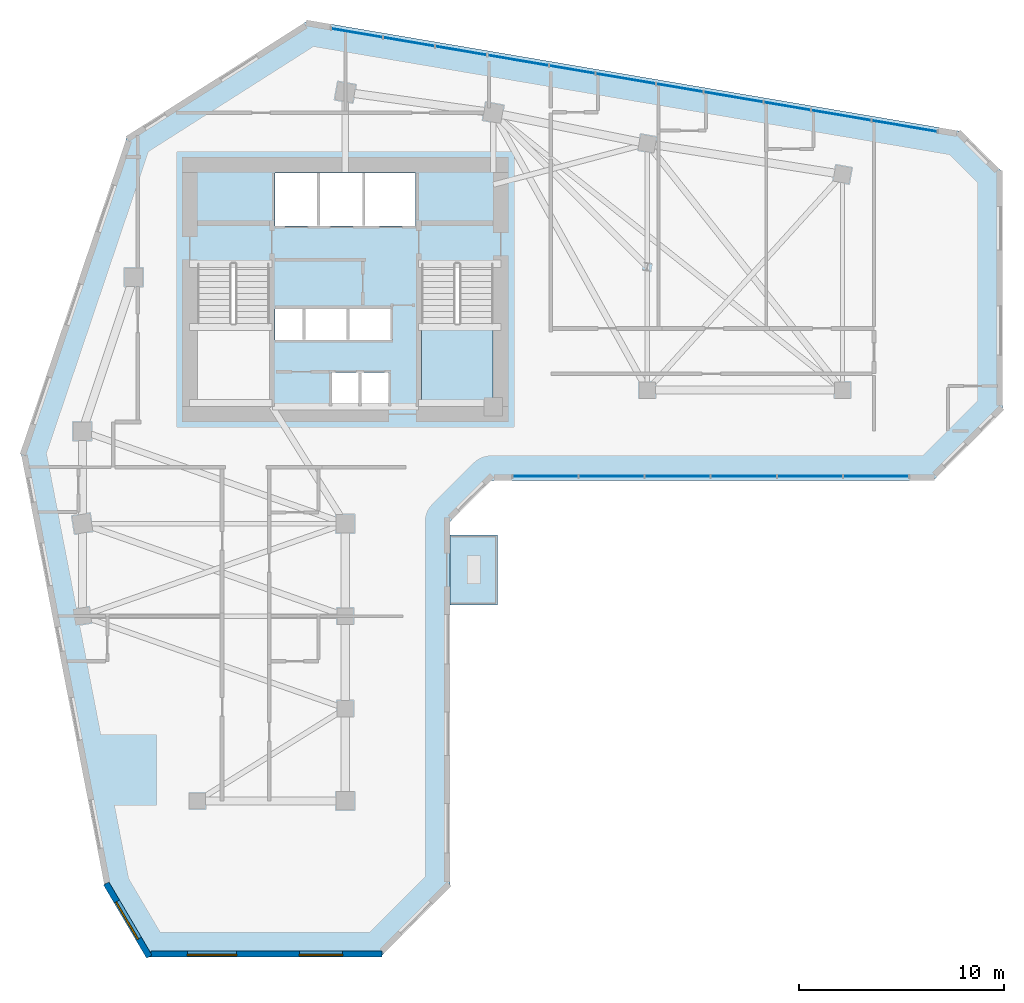
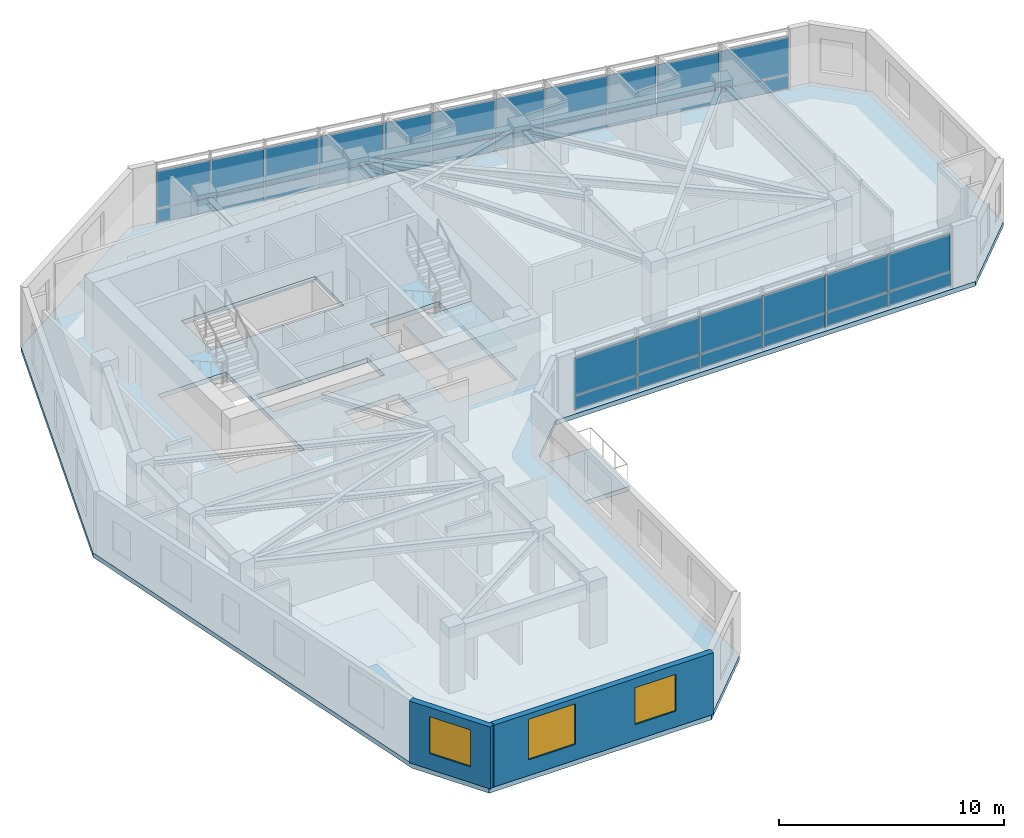
# One storey, part 3 of 10: 34 plates, 3 slabs, 3 windows, 2 walls, 3 openings, 3 elements without a shape of their own.
"""IFC4 building model written with IfcOpenShell, lengths in metres."""

from ifc_helpers import new_model, si_unit, direction, frame, frame_2d, origin, place, context, subcontext, project, spatial, polyline, rectangle, outline, extrude, source, transform, mapped, material, layer, layer_set, type_object, element, fill, aggregate, save


model = new_model("IFC4")

# Units and contexts
model_context = context("Model", 3, precision=1e-05, world=origin(), true_north=direction((0.0, 1.0)))
body_context = subcontext(model_context, "Body", "Model", "MODEL_VIEW")
ifc_project = project(units=[si_unit("LENGTHUNIT", "METRE"), si_unit("AREAUNIT", "SQUARE_METRE"), si_unit("VOLUMEUNIT", "CUBIC_METRE"), si_unit("PLANEANGLEUNIT", "RADIAN"), si_unit("MASSUNIT", "GRAM", prefix="KILO")], contexts=[model_context])

# Site, building, storey
site_placement = place(None, origin())
site = spatial("IfcSite", under=ifc_project, at=site_placement, CompositionType="ELEMENT")
building_placement = place(site_placement, origin())
building = spatial("IfcBuilding", under=site, at=building_placement, Name="Calvemar Wedge Station Tower", CompositionType="ELEMENT")
storey_placement = place(building_placement, frame((0.0, 0.0, 110.60009765625)))
storey = spatial("IfcBuildingStorey", under=building, at=storey_placement, Name="L26", CompositionType="ELEMENT", Elevation=110.60009765625)

# Curtain wall, plates
ifc_material_1 = material(Name="Anodised aluminium 6063-T6", Category="aluminium")
curtain_wall_type = type_object("IfcCurtainWallType", Name="CW2", PredefinedType="NOTDEFINED", material=ifc_material_1)
curtain_wall_1_placement = place(storey_placement, origin())
curtain_wall_1 = element("IfcCurtainWall", 1, at=curtain_wall_1_placement, inside=storey, type_object=curtain_wall_type, Name="Storey L26 CW2 Recessed Unitised Curtain Wall 6", PredefinedType="NOTDEFINED")
ifc_material_2 = material(Name="Low-E laminated insulated glass", Category="glass")
ifc_layer_1 = layer(ifc_material_2, 0.028076171875)
ifc_layer_set_1 = layer_set([ifc_layer_1], Name="Low-E laminated insulated glass")
plate_type_1 = type_object("IfcPlateType", Name="CW2-GLZ", PredefinedType="CURTAIN_PANEL", material=ifc_layer_set_1)
plate_1_placement = place(storey_placement, frame((31.951904296875, 30.802001953125, 0.869873046875), z_axis=(0.0, 0.0, 1.0), x_axis=(1.0, 0.0, 0.0)))
plate_1 = element("IfcPlate", 2, at=plate_1_placement, type_object=plate_type_1, Name="CW2 vision glass panel 1", PredefinedType="CURTAIN_PANEL", context=body_context, shape_type="SweptSolid", body=[
    extrude(rectangle(XDim=3.181396484375, YDim=0.028076171875, at=frame_2d((1.5908203125, 0.0))), origin(), (0.0, 0.0, 1.0), 2.010009765625),
])
plate_2_placement = place(storey_placement, frame((35.169189453125, 30.802001953125, 0.869873046875), z_axis=(0.0, 0.0, 1.0), x_axis=(1.0, 0.0, 0.0)))
plate_2 = element("IfcPlate", 3, at=plate_2_placement, type_object=plate_type_1, Name="CW2 vision glass panel 2", PredefinedType="CURTAIN_PANEL", context=body_context, shape_type="SweptSolid", body=[
    extrude(rectangle(XDim=3.181396484375, YDim=0.028076171875, at=frame_2d((1.5908203125, 0.0))), origin(), (0.0, 0.0, 1.0), 2.010009765625),
])
plate_3_placement = place(storey_placement, frame((38.38671875, 30.802001953125, 0.869873046875), z_axis=(0.0, 0.0, 1.0), x_axis=(1.0, 0.0, 0.0)))
plate_3 = element("IfcPlate", 4, at=plate_3_placement, type_object=plate_type_1, Name="CW2 vision glass panel 3", PredefinedType="CURTAIN_PANEL", context=body_context, shape_type="SweptSolid", body=[
    extrude(rectangle(XDim=3.18115234375, YDim=0.028076171875, at=frame_2d((1.590576171875, 0.0))), origin(), (0.0, 0.0, 1.0), 2.010009765625),
])
plate_4_placement = place(storey_placement, frame((41.60400390625, 30.802001953125, 0.869873046875), z_axis=(0.0, 0.0, 1.0), x_axis=(1.0, 0.0, 0.0)))
plate_4 = element("IfcPlate", 5, at=plate_4_placement, type_object=plate_type_1, Name="CW2 vision glass panel 4", PredefinedType="CURTAIN_PANEL", context=body_context, shape_type="SweptSolid", body=[
    extrude(rectangle(XDim=3.18115234375, YDim=0.028076171875, at=frame_2d((1.590576171875, 0.0))), origin(), (0.0, 0.0, 1.0), 2.010009765625),
])
plate_5_placement = place(storey_placement, frame((44.8212890625, 30.802001953125, 0.869873046875), z_axis=(0.0, 0.0, 1.0), x_axis=(1.0, 0.0, 0.0)))
plate_5 = element("IfcPlate", 6, at=plate_5_placement, type_object=plate_type_1, Name="CW2 vision glass panel 5", PredefinedType="CURTAIN_PANEL", context=body_context, shape_type="SweptSolid", body=[
    extrude(rectangle(XDim=3.181396484375, YDim=0.028076171875, at=frame_2d((1.5908203125, 0.0))), origin(), (0.0, 0.0, 1.0), 2.010009765625),
])
plate_6_placement = place(storey_placement, frame((48.03857421875, 30.802001953125, 0.869873046875), z_axis=(0.0, 0.0, 1.0), x_axis=(1.0, 0.0, 0.0)))
plate_6 = element("IfcPlate", 7, at=plate_6_placement, type_object=plate_type_1, Name="CW2 vision glass panel 6", PredefinedType="CURTAIN_PANEL", context=body_context, shape_type="SweptSolid", body=[
    extrude(rectangle(XDim=3.181396484375, YDim=0.028076171875, at=frame_2d((1.5908203125, 0.0))), origin(), (0.0, 0.0, 1.0), 2.010009765625),
])

curtain_wall_2_placement = place(storey_placement, origin())
curtain_wall_2 = element("IfcCurtainWall", 8, at=curtain_wall_2_placement, inside=storey, type_object=curtain_wall_type, Name="Storey L26 CW2 Recessed Unitised Curtain Wall 10", PredefinedType="NOTDEFINED")
plate_7_placement = place(storey_placement, frame((52.615478515625, 47.580322265625, 0.869873046875), z_axis=(0.0, 0.0, 1.0), x_axis=(-0.985833907649, 0.167724495916, 0.0)))
plate_7 = element("IfcPlate", 9, at=plate_7_placement, type_object=plate_type_1, Name="CW2 vision glass panel 1", PredefinedType="CURTAIN_PANEL", context=body_context, shape_type="SweptSolid", body=[
    extrude(rectangle(XDim=3.2373046875, YDim=0.028076171875, at=frame_2d((1.61865234375, 0.0))), origin(), (0.0, 0.0, 1.0), 2.010009765625),
])
plate_8_placement = place(storey_placement, frame((49.388427734375, 48.129150390625, 0.869873046875), z_axis=(0.0, 0.0, 1.0), x_axis=(-0.985834595923, 0.167720450396, 0.0)))
plate_8 = element("IfcPlate", 10, at=plate_8_placement, type_object=plate_type_1, Name="CW2 vision glass panel 2", PredefinedType="CURTAIN_PANEL", context=body_context, shape_type="SweptSolid", body=[
    extrude(rectangle(XDim=2.943359375, YDim=0.028076171875, at=frame_2d((1.4716796875, 0.0))), origin(), (0.0, 0.0, 1.0), 2.010009765625),
])
plate_9_placement = place(storey_placement, frame((46.451416015625, 48.628662109375, 0.869873046875), z_axis=(0.0, 0.0, 1.0), x_axis=(-0.985844644731, 0.167661374367, 0.0)))
plate_9 = element("IfcPlate", 11, at=plate_9_placement, type_object=plate_type_1, Name="CW2 vision glass panel 3", PredefinedType="CURTAIN_PANEL", context=body_context, shape_type="SweptSolid", body=[
    extrude(rectangle(XDim=2.30517578125, YDim=0.028076171875, at=frame_2d((1.152587890625, 0.0))), origin(), (0.0, 0.0, 1.0), 2.010009765625),
])
plate_10_placement = place(storey_placement, frame((44.1435546875, 49.021240234375, 0.869873046875), z_axis=(0.0, 0.0, 1.0), x_axis=(-0.98584830779, 0.167639834249, 0.0)))
plate_10 = element("IfcPlate", 12, at=plate_10_placement, type_object=plate_type_1, Name="CW2 vision glass panel 4", PredefinedType="CURTAIN_PANEL", context=body_context, shape_type="SweptSolid", body=[
    extrude(rectangle(XDim=2.943359375, YDim=0.028076171875, at=frame_2d((1.4716796875, 0.0))), origin(), (0.0, 0.0, 1.0), 2.010009765625),
])
plate_11_placement = place(storey_placement, frame((41.20654296875, 49.520751953125, 0.869873046875), z_axis=(0.0, 0.0, 1.0), x_axis=(-0.985844644731, 0.167661374367, 0.0)))
plate_11 = element("IfcPlate", 13, at=plate_11_placement, type_object=plate_type_1, Name="CW2 vision glass panel 5", PredefinedType="CURTAIN_PANEL", context=body_context, shape_type="SweptSolid", body=[
    extrude(rectangle(XDim=2.30517578125, YDim=0.028076171875, at=frame_2d((1.152587890625, 0.0))), origin(), (0.0, 0.0, 1.0), 2.010009765625),
])
plate_12_placement = place(storey_placement, frame((38.8984375, 49.9130859375, 0.869873046875), z_axis=(0.0, 0.0, 1.0), x_axis=(-0.98584597638, 0.167653544115, 0.0)))
plate_12 = element("IfcPlate", 14, at=plate_12_placement, type_object=plate_type_1, Name="CW2 vision glass panel 6", PredefinedType="CURTAIN_PANEL", context=body_context, shape_type="SweptSolid", body=[
    extrude(rectangle(XDim=2.943115234375, YDim=0.028076171875, at=frame_2d((1.4716796875, 0.0))), origin(), (0.0, 0.0, 1.0), 2.010009765625),
])
plate_13_placement = place(storey_placement, frame((35.96142578125, 50.41259765625, 0.869873046875), z_axis=(0.0, 0.0, 1.0), x_axis=(-0.985832534938, 0.167732564097, 0.0)))
plate_13 = element("IfcPlate", 15, at=plate_13_placement, type_object=plate_type_1, Name="CW2 vision glass panel 7", PredefinedType="CURTAIN_PANEL", context=body_context, shape_type="SweptSolid", body=[
    extrude(rectangle(XDim=2.267822265625, YDim=0.028076171875, at=frame_2d((1.1337890625, 0.0))), origin(), (0.0, 0.0, 1.0), 2.010009765625),
])
plate_14_placement = place(storey_placement, frame((33.6904296875, 50.798828125, 0.869873046875), z_axis=(0.0, 0.0, 1.0), x_axis=(-0.985846589489, 0.167649938837, 0.0)))
plate_14 = element("IfcPlate", 16, at=plate_14_placement, type_object=plate_type_1, Name="CW2 vision glass panel 8", PredefinedType="CURTAIN_PANEL", context=body_context, shape_type="SweptSolid", body=[
    extrude(rectangle(XDim=3.007080078125, YDim=0.028076171875, at=frame_2d((1.50341796875, 0.0))), origin(), (0.0, 0.0, 1.0), 2.010009765625),
])
plate_15_placement = place(storey_placement, frame((30.6904296875, 51.30908203125, 0.869873046875), z_axis=(0.0, 0.0, 1.0), x_axis=(-0.985852344868, 0.167616091467, 0.0)))
plate_15 = element("IfcPlate", 17, at=plate_15_placement, type_object=plate_type_1, Name="CW2 vision glass panel 9", PredefinedType="CURTAIN_PANEL", context=body_context, shape_type="SweptSolid", body=[
    extrude(rectangle(XDim=2.534423828125, YDim=0.028076171875, at=frame_2d((1.26708984375, 0.0))), origin(), (0.0, 0.0, 1.0), 2.010009765625),
])
plate_16_placement = place(storey_placement, frame((28.156494140625, 51.739990234375, 0.869873046875), z_axis=(0.0, 0.0, 1.0), x_axis=(-0.985852344868, 0.167616091467, 0.0)))
plate_16 = element("IfcPlate", 18, at=plate_16_placement, type_object=plate_type_1, Name="CW2 vision glass panel 10", PredefinedType="CURTAIN_PANEL", context=body_context, shape_type="SweptSolid", body=[
    extrude(rectangle(XDim=2.534423828125, YDim=0.028076171875, at=frame_2d((1.26708984375, 0.0))), origin(), (0.0, 0.0, 1.0), 2.010009765625),
])
plate_17_placement = place(storey_placement, frame((25.622314453125, 52.1708984375, 0.869873046875), z_axis=(0.0, 0.0, 1.0), x_axis=(-0.985833712673, 0.16772564192, 0.0)))
plate_17 = element("IfcPlate", 19, at=plate_17_placement, type_object=plate_type_1, Name="CW2 vision glass panel 11", PredefinedType="CURTAIN_PANEL", context=body_context, shape_type="SweptSolid", body=[
    extrude(rectangle(XDim=2.5341796875, YDim=0.028076171875, at=frame_2d((1.26708984375, 0.0))), origin(), (0.0, 0.0, 1.0), 2.010009765625),
])

# Plate
ifc_material_3 = material(Name="Oxidized bronze aluminium spandrel panel 5005-H24", Category="aluminium")
ifc_layer_2 = layer(ifc_material_3, 0.0400390625)
ifc_layer_set_2 = layer_set([ifc_layer_2], Name="Oxidized bronze aluminium spandrel panel 5005-H24")
plate_type_2 = type_object("IfcPlateType", Name="CW2-SPD", PredefinedType="SHEET", material=ifc_layer_set_2)
plate_18_placement = place(storey_placement, frame((31.951904296875, 30.802001953125, 0.079833984375), z_axis=(0.0, 0.0, 1.0), x_axis=(1.0, 0.0, 0.0)))
plate_18 = element("IfcPlate", 20, at=plate_18_placement, type_object=plate_type_2, Name="CW2 bronze spandrel panel 1", PredefinedType="SHEET", context=body_context, shape_type="SweptSolid", body=[
    extrude(rectangle(XDim=3.181396484375, YDim=0.0400390625, at=frame_2d((1.5908203125, 0.0))), origin(), (0.0, 0.0, 1.0), 0.75),
])

plate_19_placement = place(storey_placement, frame((35.169189453125, 30.802001953125, 0.079833984375), z_axis=(0.0, 0.0, 1.0), x_axis=(1.0, 0.0, 0.0)))
plate_19 = element("IfcPlate", 21, at=plate_19_placement, type_object=plate_type_2, Name="CW2 bronze spandrel panel 2", PredefinedType="SHEET", context=body_context, shape_type="SweptSolid", body=[
    extrude(rectangle(XDim=3.181396484375, YDim=0.0400390625, at=frame_2d((1.5908203125, 0.0))), origin(), (0.0, 0.0, 1.0), 0.75),
])

plate_20_placement = place(storey_placement, frame((38.38671875, 30.802001953125, 0.079833984375), z_axis=(0.0, 0.0, 1.0), x_axis=(1.0, 0.0, 0.0)))
plate_20 = element("IfcPlate", 22, at=plate_20_placement, type_object=plate_type_2, Name="CW2 bronze spandrel panel 3", PredefinedType="SHEET", context=body_context, shape_type="SweptSolid", body=[
    extrude(rectangle(XDim=3.18115234375, YDim=0.0400390625, at=frame_2d((1.590576171875, 0.0))), origin(), (0.0, 0.0, 1.0), 0.75),
])

plate_21_placement = place(storey_placement, frame((41.60400390625, 30.802001953125, 0.079833984375), z_axis=(0.0, 0.0, 1.0), x_axis=(1.0, 0.0, 0.0)))
plate_21 = element("IfcPlate", 23, at=plate_21_placement, type_object=plate_type_2, Name="CW2 bronze spandrel panel 4", PredefinedType="SHEET", context=body_context, shape_type="SweptSolid", body=[
    extrude(rectangle(XDim=3.18115234375, YDim=0.0400390625, at=frame_2d((1.590576171875, 0.0))), origin(), (0.0, 0.0, 1.0), 0.75),
])

plate_22_placement = place(storey_placement, frame((44.8212890625, 30.802001953125, 0.079833984375), z_axis=(0.0, 0.0, 1.0), x_axis=(1.0, 0.0, 0.0)))
plate_22 = element("IfcPlate", 24, at=plate_22_placement, type_object=plate_type_2, Name="CW2 bronze spandrel panel 5", PredefinedType="SHEET", context=body_context, shape_type="SweptSolid", body=[
    extrude(rectangle(XDim=3.181396484375, YDim=0.0400390625, at=frame_2d((1.5908203125, 0.0))), origin(), (0.0, 0.0, 1.0), 0.75),
])

plate_23_placement = place(storey_placement, frame((48.03857421875, 30.802001953125, 0.079833984375), z_axis=(0.0, 0.0, 1.0), x_axis=(1.0, 0.0, 0.0)))
plate_23 = element("IfcPlate", 25, at=plate_23_placement, type_object=plate_type_2, Name="CW2 bronze spandrel panel 6", PredefinedType="SHEET", context=body_context, shape_type="SweptSolid", body=[
    extrude(rectangle(XDim=3.181396484375, YDim=0.0400390625, at=frame_2d((1.5908203125, 0.0))), origin(), (0.0, 0.0, 1.0), 0.75),
])

aggregate(curtain_wall_1, [plate_18, plate_1, plate_19, plate_2, plate_20, plate_3, plate_21, plate_4, plate_22, plate_5, plate_23, plate_6])

plate_24_placement = place(storey_placement, frame((52.615478515625, 47.580322265625, 0.079833984375), z_axis=(0.0, 0.0, 1.0), x_axis=(-0.985833907649, 0.167724495916, 0.0)))
plate_24 = element("IfcPlate", 26, at=plate_24_placement, type_object=plate_type_2, Name="CW2 bronze spandrel panel 1", PredefinedType="SHEET", context=body_context, shape_type="SweptSolid", body=[
    extrude(rectangle(XDim=3.2373046875, YDim=0.0400390625, at=frame_2d((1.61865234375, 0.0))), origin(), (0.0, 0.0, 1.0), 0.75),
])

plate_25_placement = place(storey_placement, frame((49.388427734375, 48.129150390625, 0.079833984375), z_axis=(0.0, 0.0, 1.0), x_axis=(-0.985834595923, 0.167720450396, 0.0)))
plate_25 = element("IfcPlate", 27, at=plate_25_placement, type_object=plate_type_2, Name="CW2 bronze spandrel panel 2", PredefinedType="SHEET", context=body_context, shape_type="SweptSolid", body=[
    extrude(rectangle(XDim=2.943359375, YDim=0.0400390625, at=frame_2d((1.4716796875, 0.0))), origin(), (0.0, 0.0, 1.0), 0.75),
])

plate_26_placement = place(storey_placement, frame((46.451416015625, 48.628662109375, 0.079833984375), z_axis=(0.0, 0.0, 1.0), x_axis=(-0.985844644731, 0.167661374367, 0.0)))
plate_26 = element("IfcPlate", 28, at=plate_26_placement, type_object=plate_type_2, Name="CW2 bronze spandrel panel 3", PredefinedType="SHEET", context=body_context, shape_type="SweptSolid", body=[
    extrude(rectangle(XDim=2.30517578125, YDim=0.0400390625, at=frame_2d((1.152587890625, 0.0))), origin(), (0.0, 0.0, 1.0), 0.75),
])

plate_27_placement = place(storey_placement, frame((44.1435546875, 49.021240234375, 0.079833984375), z_axis=(0.0, 0.0, 1.0), x_axis=(-0.98584830779, 0.167639834249, 0.0)))
plate_27 = element("IfcPlate", 29, at=plate_27_placement, type_object=plate_type_2, Name="CW2 bronze spandrel panel 4", PredefinedType="SHEET", context=body_context, shape_type="SweptSolid", body=[
    extrude(rectangle(XDim=2.943359375, YDim=0.0400390625, at=frame_2d((1.4716796875, 0.0))), origin(), (0.0, 0.0, 1.0), 0.75),
])

plate_28_placement = place(storey_placement, frame((41.20654296875, 49.520751953125, 0.079833984375), z_axis=(0.0, 0.0, 1.0), x_axis=(-0.985844644731, 0.167661374367, 0.0)))
plate_28 = element("IfcPlate", 30, at=plate_28_placement, type_object=plate_type_2, Name="CW2 bronze spandrel panel 5", PredefinedType="SHEET", context=body_context, shape_type="SweptSolid", body=[
    extrude(rectangle(XDim=2.30517578125, YDim=0.0400390625, at=frame_2d((1.152587890625, 0.0))), origin(), (0.0, 0.0, 1.0), 0.75),
])

plate_29_placement = place(storey_placement, frame((38.8984375, 49.9130859375, 0.079833984375), z_axis=(0.0, 0.0, 1.0), x_axis=(-0.98584597638, 0.167653544115, 0.0)))
plate_29 = element("IfcPlate", 31, at=plate_29_placement, type_object=plate_type_2, Name="CW2 bronze spandrel panel 6", PredefinedType="SHEET", context=body_context, shape_type="SweptSolid", body=[
    extrude(rectangle(XDim=2.943115234375, YDim=0.0400390625, at=frame_2d((1.4716796875, 0.0))), origin(), (0.0, 0.0, 1.0), 0.75),
])

plate_30_placement = place(storey_placement, frame((35.96142578125, 50.41259765625, 0.079833984375), z_axis=(0.0, 0.0, 1.0), x_axis=(-0.985832534938, 0.167732564097, 0.0)))
plate_30 = element("IfcPlate", 32, at=plate_30_placement, type_object=plate_type_2, Name="CW2 bronze spandrel panel 7", PredefinedType="SHEET", context=body_context, shape_type="SweptSolid", body=[
    extrude(rectangle(XDim=2.267822265625, YDim=0.0400390625, at=frame_2d((1.1337890625, 0.0))), origin(), (0.0, 0.0, 1.0), 0.75),
])

plate_31_placement = place(storey_placement, frame((33.6904296875, 50.798828125, 0.079833984375), z_axis=(0.0, 0.0, 1.0), x_axis=(-0.985846589489, 0.167649938837, 0.0)))
plate_31 = element("IfcPlate", 33, at=plate_31_placement, type_object=plate_type_2, Name="CW2 bronze spandrel panel 8", PredefinedType="SHEET", context=body_context, shape_type="SweptSolid", body=[
    extrude(rectangle(XDim=3.007080078125, YDim=0.0400390625, at=frame_2d((1.50341796875, 0.0))), origin(), (0.0, 0.0, 1.0), 0.75),
])

plate_32_placement = place(storey_placement, frame((30.6904296875, 51.30908203125, 0.079833984375), z_axis=(0.0, 0.0, 1.0), x_axis=(-0.985852344868, 0.167616091467, 0.0)))
plate_32 = element("IfcPlate", 34, at=plate_32_placement, type_object=plate_type_2, Name="CW2 bronze spandrel panel 9", PredefinedType="SHEET", context=body_context, shape_type="SweptSolid", body=[
    extrude(rectangle(XDim=2.534423828125, YDim=0.0400390625, at=frame_2d((1.26708984375, 0.0))), origin(), (0.0, 0.0, 1.0), 0.75),
])

plate_33_placement = place(storey_placement, frame((28.156494140625, 51.739990234375, 0.079833984375), z_axis=(0.0, 0.0, 1.0), x_axis=(-0.985852344868, 0.167616091467, 0.0)))
plate_33 = element("IfcPlate", 35, at=plate_33_placement, type_object=plate_type_2, Name="CW2 bronze spandrel panel 10", PredefinedType="SHEET", context=body_context, shape_type="SweptSolid", body=[
    extrude(rectangle(XDim=2.534423828125, YDim=0.0400390625, at=frame_2d((1.26708984375, 0.0))), origin(), (0.0, 0.0, 1.0), 0.75),
])

plate_34_placement = place(storey_placement, frame((25.622314453125, 52.1708984375, 0.079833984375), z_axis=(0.0, 0.0, 1.0), x_axis=(-0.985833712673, 0.16772564192, 0.0)))
plate_34 = element("IfcPlate", 36, at=plate_34_placement, type_object=plate_type_2, Name="CW2 bronze spandrel panel 11", PredefinedType="SHEET", context=body_context, shape_type="SweptSolid", body=[
    extrude(rectangle(XDim=2.5341796875, YDim=0.0400390625, at=frame_2d((1.26708984375, 0.0))), origin(), (0.0, 0.0, 1.0), 0.75),
])

aggregate(curtain_wall_2, [plate_24, plate_7, plate_25, plate_8, plate_26, plate_9, plate_27, plate_10, plate_28, plate_11, plate_29, plate_12, plate_30, plate_13, plate_31, plate_14, plate_32, plate_15, plate_33, plate_16, plate_34, plate_17])

# Stair, slab
ifc_material_4 = material(Name="Concrete C45", Category="concrete")
stair_type = type_object("IfcStairType", Name="ST-TYPE-3600", PredefinedType="HALF_TURN_STAIR", material=ifc_material_4)
stair_placement = place(storey_placement, origin())
stair = element("IfcStair", 37, at=stair_placement, inside=storey, type_object=stair_type, Name="L26 Pressurized Core Exit Stair ST-C2", PredefinedType="HALF_TURN_STAIR")
ifc_layer_3 = layer(ifc_material_4, 0.199951171875)
ifc_layer_set_3 = layer_set([ifc_layer_3], Name="Concrete C45")
slab_type_1 = type_object("IfcSlabType", Name="SL-STAIR-LND-200", PredefinedType="LANDING", material=ifc_layer_set_3)
slab_1_placement = place(storey_placement, frame((0.0, 0.0, 1.599853515625)))
slab_1 = element("IfcSlab", 38, at=slab_1_placement, type_object=slab_type_1, Name="ST-C2 landing 1", PredefinedType="LANDING", context=body_context, shape_type="SweptSolid", body=[
    extrude(outline(polyline([(27.5, 38.25), (27.5, 34.199951171875), (31.0, 34.199951171875), (31.0, 38.25), (27.5, 38.25)])), origin(), (0.0, 0.0, 1.0), 0.199951171875),
])
aggregate(stair, [slab_1])

# Slabs
ifc_layer_4 = layer(ifc_material_4, 0.239990234375)
ifc_layer_set_4 = layer_set([ifc_layer_4], Name="Concrete C45")
slab_type_2 = type_object("IfcSlabType", Name="SL-TERR-240", PredefinedType="FLOOR", material=ifc_layer_set_4)
slab_2_placement = place(storey_placement, frame((0.0, 0.0, -0.239990234375)))
element("IfcSlab", 39, at=slab_2_placement, inside=storey, type_object=slab_type_2, Name="Storey L26 Planted Spiral Terrace Slab", PredefinedType="FLOOR", context=body_context, shape_type="SweptSolid", body=[
    extrude(outline(polyline([(28.89599609375, 24.550048828125), (31.196044921875, 24.550048828125), (31.196044921875, 27.949951171875), (28.89599609375, 27.949951171875), (28.89599609375, 24.550048828125)])), origin(), (0.0, 0.0, 1.0), 0.239990234375),
])
ifc_material_5 = material(Name="Concrete C50", Category="concrete")
ifc_layer_5 = layer(ifc_material_5, 0.25)
ifc_layer_set_5 = layer_set([ifc_layer_5], Name="Concrete C50")
slab_type_3 = type_object("IfcSlabType", Name="SL-TYP-250", PredefinedType="FLOOR", material=ifc_layer_set_5)
slab_3_placement = place(storey_placement, frame((0.0, 0.0, -0.25)))
element("IfcSlab", 40, at=slab_3_placement, inside=storey, type_object=slab_type_3, Name="Storey L26 Structural Floor Slab", PredefinedType="FLOOR", context=body_context, shape_type="SweptSolid", body=[
    extrude(outline(polyline([(8.0, 32.0), (12.095947265625, 10.800048828125), (14.095947265625, 7.39990234375), (25.49609375, 7.39990234375), (28.89599609375, 10.800048828125), (28.89599609375, 28.592041015625), (30.89599609375, 30.592041015625), (52.39990234375, 30.592041015625), (55.800048828125, 33.991943359375), (55.800048828125, 45.592041015625), (53.800048828125, 47.592041015625), (22.0, 53.0), (13.199951171875, 47.39990234375), (8.0, 32.0)]), holes=[polyline([(24.52001953125, 35.85009765625), (24.510009765625, 35.85009765625), (23.1201171875, 35.85009765625), (23.1201171875, 34.219970703125), (24.510009765625, 34.219970703125), (24.52001953125, 34.219970703125), (25.909912109375, 34.219970703125), (25.909912109375, 35.85009765625), (24.52001953125, 35.85009765625)]), polyline([(16.60009765625, 34.199951171875), (20.10009765625, 34.199951171875), (20.10009765625, 41.14990234375), (16.60009765625, 41.14990234375), (16.60009765625, 34.199951171875)]), polyline([(27.5, 34.199951171875), (31.0, 34.199951171875), (31.0, 41.14990234375), (27.5, 41.14990234375), (27.5, 34.199951171875)]), polyline([(21.800048828125, 38.949951171875), (21.7900390625, 38.949951171875), (20.3798828125, 38.949951171875), (20.3798828125, 37.449951171875), (21.7900390625, 37.449951171875), (21.800048828125, 37.449951171875), (23.929931640625, 37.449951171875), (23.93994140625, 37.449951171875), (26.080078125, 37.449951171875), (26.080078125, 38.949951171875), (23.93994140625, 38.949951171875), (23.929931640625, 38.949951171875), (21.800048828125, 38.949951171875)]), polyline([(27.219970703125, 43.0), (27.219970703125, 45.580078125), (20.3798828125, 45.580078125), (20.3798828125, 43.0), (27.219970703125, 43.0)])]), origin(), (0.0, 0.0, 1.0), 0.25),
])

# Wall, opening, window
ifc_material_6 = material(Name="Precast concrete C45", Category="concrete")
ifc_layer_6 = layer(ifc_material_6, 0.300048828125)
ifc_layer_set_6 = layer_set([ifc_layer_6], Name="Precast concrete C45")
wall_type = type_object("IfcWallType", Name="W-EXT-GFRC-300", PredefinedType="SOLIDWALL", material=ifc_layer_set_6)
wall_1_placement = place(storey_placement, frame((12.162353515625, 10.983154296875, 0.0), z_axis=(0.0, 0.0, 1.0), x_axis=(0.506996893234, -0.861947881401, 0.0)))
wall_1 = element("IfcWall", 41, at=wall_1_placement, inside=storey, type_object=wall_type, Name="Storey L26 Bronze GFRC Exterior Wall 1", PredefinedType="SOLIDWALL", context=body_context, shape_type="SweptSolid", body=[
    extrude(rectangle(XDim=4.133056640625, YDim=0.300048828125, at=frame_2d((2.06640625, 0.0))), origin(), (0.0, 0.0, 1.0), 3.349853515625),
])
shared_shape_1 = source(origin(), body_context, "Body", "SweptSolid", [
    extrude(rectangle(XDim=2.10009765625, YDim=2.0, at=frame_2d((1.050048828125, 1.0))), frame((0.0, 0.16015625, 0.0), z_axis=(0.0, -1.0, 0.0), x_axis=(1.0, 0.0, 0.0)), (0.0, 0.0, 1.0), 0.320068359375),
])
opening_1_placement = place(wall_1_placement, frame((1.01708984375, 0.0, 0.85009765625)))
opening_1 = element("IfcOpeningElement", 42, at=opening_1_placement, cuts=wall_1, Name="Opening W4", PredefinedType="OPENING", context=body_context, shape_type="MappedRepresentation", body=[
    mapped(shared_shape_1, transform((0.0, 0.0, 0.0), scale=1.0)),
])
window_type_1 = type_object("IfcWindowType", Name="WIN-EXT-4", PartitioningType="SINGLE_PANEL", PredefinedType="WINDOW", material=ifc_material_2)
shared_shape_2 = source(origin(), body_context, "Body", "SweptSolid", [
    extrude(rectangle(XDim=2.10009765625, YDim=2.0, at=frame_2d((1.050048828125, 1.0))), frame((0.0, -0.014892578125, 0.0), z_axis=(0.0, -1.0, 0.0), x_axis=(1.0, 0.0, 0.0)), (0.0, 0.0, 1.0), 0.06005859375),
])
window_1_placement = place(opening_1_placement, origin())
window_1 = element("IfcWindow", 43, at=window_1_placement, inside=storey, type_object=window_type_1, Name="Storey L26 Recessed Window 1.1", OverallHeight=2.0, OverallWidth=2.10009765625, PartitioningType="SINGLE_PANEL", PredefinedType="WINDOW", context=body_context, shape_type="MappedRepresentation", body=[
    mapped(shared_shape_2, transform((0.0, 0.0, 0.0), scale=1.0)),
])
fill(opening_1, window_1)

# Wall, openings, windows
wall_2_placement = place(storey_placement, frame((14.341796875, 7.550048828125, 0.0), z_axis=(0.0, 0.0, 1.0), x_axis=(1.0, 0.0, 0.0)))
wall_2 = element("IfcWall", 44, at=wall_2_placement, inside=storey, type_object=wall_type, Name="Storey L26 Bronze GFRC Exterior Wall 2", PredefinedType="SOLIDWALL", context=body_context, shape_type="SweptSolid", body=[
    extrude(rectangle(XDim=11.2421875, YDim=0.300048828125, at=frame_2d((5.62109375, 0.0))), origin(), (0.0, 0.0, 1.0), 3.349853515625),
])
shared_shape_3 = source(origin(), body_context, "Body", "SweptSolid", [
    extrude(rectangle(XDim=2.39990234375, YDim=2.199951171875, at=frame_2d((1.199951171875, 1.10009765625))), frame((0.0, 0.16015625, 0.0), z_axis=(0.0, -1.0, 0.0), x_axis=(1.0, 0.0, 0.0)), (0.0, 0.0, 1.0), 0.320068359375),
])
opening_2_placement = place(wall_2_placement, frame((1.77099609375, 0.0, 0.85009765625)))
opening_2 = element("IfcOpeningElement", 45, at=opening_2_placement, cuts=wall_2, Name="Opening W1", PredefinedType="OPENING", context=body_context, shape_type="MappedRepresentation", body=[
    mapped(shared_shape_3, transform((0.0, 0.0, 0.0), scale=1.0)),
])
opening_3_placement = place(wall_2_placement, frame((7.221923828125, 0.0, 0.85009765625)))
opening_3 = element("IfcOpeningElement", 46, at=opening_3_placement, cuts=wall_2, Name="Opening W4", PredefinedType="OPENING", context=body_context, shape_type="MappedRepresentation", body=[
    mapped(shared_shape_1, transform((0.0, 0.0, 0.0), scale=1.0)),
])
window_2_placement = place(opening_3_placement, origin())
window_2 = element("IfcWindow", 47, at=window_2_placement, inside=storey, type_object=window_type_1, Name="Storey L26 Recessed Window 2.2", OverallHeight=2.0, OverallWidth=2.10009765625, PartitioningType="SINGLE_PANEL", PredefinedType="WINDOW", context=body_context, shape_type="MappedRepresentation", body=[
    mapped(shared_shape_2, transform((0.0, 0.0, 0.0), scale=1.0)),
])
fill(opening_3, window_2)
window_type_2 = type_object("IfcWindowType", Name="WIN-EXT-1", PartitioningType="SINGLE_PANEL", PredefinedType="WINDOW", material=ifc_material_2)
shared_shape_4 = source(origin(), body_context, "Body", "SweptSolid", [
    extrude(rectangle(XDim=2.39990234375, YDim=2.199951171875, at=frame_2d((1.199951171875, 1.10009765625))), frame((0.0, -0.014892578125, 0.0), z_axis=(0.0, -1.0, 0.0), x_axis=(1.0, 0.0, 0.0)), (0.0, 0.0, 1.0), 0.06005859375),
])
window_3_placement = place(opening_2_placement, origin())
window_3 = element("IfcWindow", 48, at=window_3_placement, inside=storey, type_object=window_type_2, Name="Storey L26 Recessed Window 2.1", OverallHeight=2.199951171875, OverallWidth=2.39990234375, PartitioningType="SINGLE_PANEL", PredefinedType="WINDOW", context=body_context, shape_type="MappedRepresentation", body=[
    mapped(shared_shape_4, transform((0.0, 0.0, 0.0), scale=1.0)),
])
fill(opening_2, window_3)

save(model, "model.ifc")
